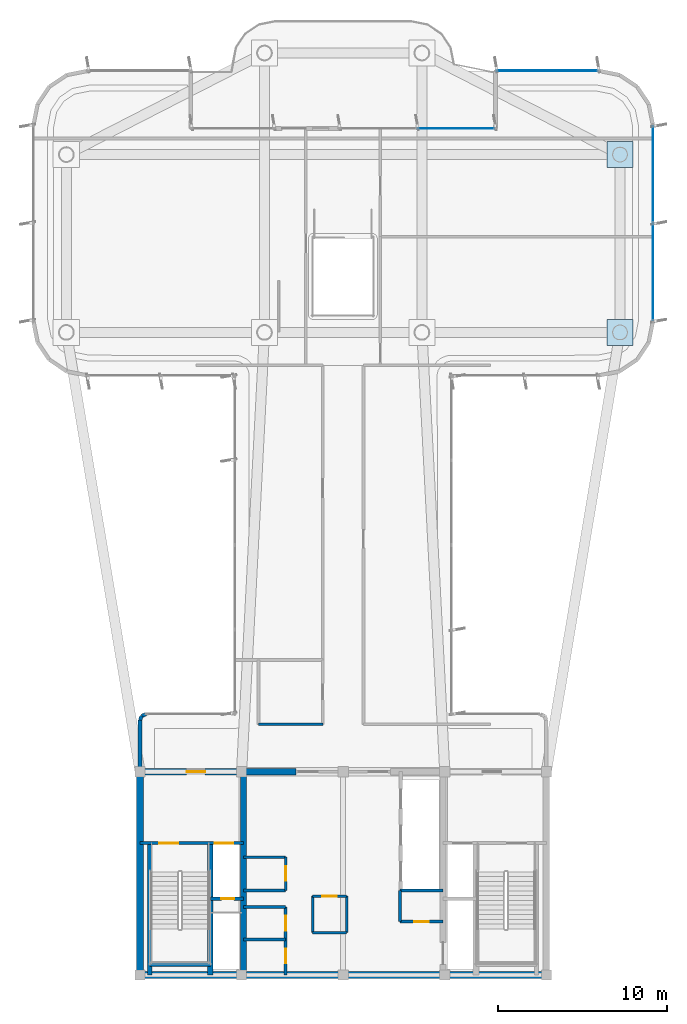
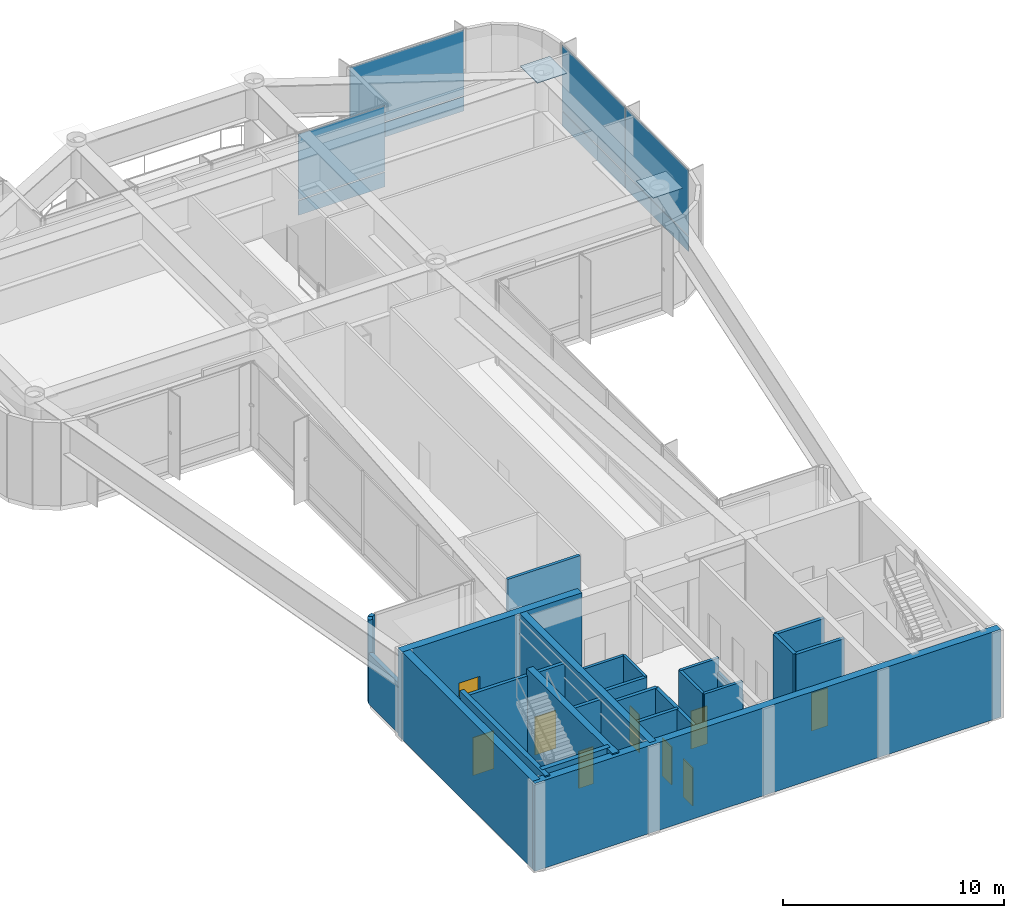
# One storey, part 9 of 13: 26 walls, 10 plates, 9 doors, 9 openings, 3 elements without a shape of their own.
"""IFC4 building model written with IfcOpenShell, lengths in metres."""

from ifc_helpers import new_model, si_unit, direction, frame, frame_2d, origin, origin_2d, place, context, subcontext, project, spatial, rectangle, extrude, source, transform, mapped, material, layer, layer_set, type_object, element, fill, aggregate, save


model = new_model("IFC4")

# Units and contexts
model_context = context("Model", 3, precision=1e-05, world=origin(), true_north=direction((0.0, 1.0)))
body_context = subcontext(model_context, "Body", "Model", "MODEL_VIEW")
ifc_project = project(units=[si_unit("LENGTHUNIT", "METRE"), si_unit("AREAUNIT", "SQUARE_METRE"), si_unit("VOLUMEUNIT", "CUBIC_METRE"), si_unit("PLANEANGLEUNIT", "RADIAN"), si_unit("MASSUNIT", "GRAM", prefix="KILO")], contexts=[model_context])

# Site, building, storey
site_placement = place(None, origin())
site = spatial("IfcSite", under=ifc_project, at=site_placement, CompositionType="ELEMENT")
building_placement = place(site_placement, origin())
building = spatial("IfcBuilding", under=site, at=building_placement, Name="Brelvock Crest Care Tower", CompositionType="ELEMENT")
storey_placement = place(building_placement, frame((0.0, 0.0, 291.06005859375)))
storey = spatial("IfcBuildingStorey", under=building, at=storey_placement, Name="L74", CompositionType="ELEMENT", Elevation=291.06005859375)

# Plates
ifc_material_1 = material(Name="Steel Grade 350", Category="steel")
plate_type_1 = type_object("IfcPlateType", Name="PLT-EC1", PredefinedType="USERDEFINED", material=ifc_material_1)
shared_shape_1 = source(origin(), body_context, "Body", "SweptSolid", [
    extrude(rectangle(XDim=1.550048828125, YDim=1.550048828125, at=origin_2d()), origin(), (0.0, 0.0, 1.0), 0.031982421875),
])
for number, where, z_axis, x_axis, name in (
    (1, (52.35009765625, 43.949951171875, 4.85205078125), (0.0, 0.0, 1.0), (1.0, 0.0, 0.0), "PLT-CAP-L74-03"),
    (2, (52.35009765625, 54.449951171875, 4.85205078125), (0.0, 0.0, 1.0), (1.0, 0.0, 0.0), "PLT-CAP-L74-04"),
):
    element("IfcPlate", number, at=place(storey_placement, frame(where, z_axis=z_axis, x_axis=x_axis)), inside=storey, type_object=plate_type_1, Name=name, ObjectType="FLANGE_PLATE", PredefinedType="USERDEFINED", context=body_context, shape_type="MappedRepresentation", body=[
        mapped(shared_shape_1, transform((0.0, 0.0, 0.0), x_axis=(1.0, 0.0, 0.0), y_axis=(0.0, 1.0, 0.0), z_axis=(0.0, 0.0, 1.0), scale=1.0)),
    ])

# Curtain wall, plates
ifc_material_2 = material(Name="Dark Glass Double Glazed Low-E", Category="glass")
ifc_layer_1 = layer(ifc_material_2, 0.2548828125, Name="CWS-6")
ifc_layer_set_1 = layer_set([ifc_layer_1], Name="Dark Glass Double Glazed Low-E")
curtain_wall_type = type_object("IfcCurtainWallType", Name="CWS-6", PredefinedType="NOTDEFINED", material=ifc_layer_set_1)
curtain_wall_1_placement = place(storey_placement, origin())
curtain_wall_1 = element("IfcCurtainWall", 3, at=curtain_wall_1_placement, inside=storey, type_object=curtain_wall_type, Name="L74 Curtain Wall E04", PredefinedType="NOTDEFINED")
ifc_material_3 = material(Name="Dark Glass Shadow-Box Spandrel", Category="glass")
ifc_layer_2 = layer(ifc_material_3, 0.048095703125, Name="CWP-SP1")
ifc_layer_set_2 = layer_set([ifc_layer_2], Name="Dark Glass Shadow-Box Spandrel")
plate_type_2 = type_object("IfcPlateType", Name="CWP-SP1", PredefinedType="SHEET", material=ifc_layer_set_2)
shared_shape_2 = source(origin(), body_context, "Body", "SweptSolid", [
    extrude(rectangle(XDim=5.702392578125, YDim=0.035888671875, at=origin_2d()), origin(), (0.0, 0.0, 1.0), 0.802490234375),
])
plate_1_placement = place(storey_placement, frame((54.300048828125, 53.28369140625, 0.06494140625), z_axis=(0.0, 0.0, 1.0), x_axis=(0.0, -1.0, 0.0)))
plate_1 = element("IfcPlate", 4, at=plate_1_placement, type_object=plate_type_2, Name="CW-6 panel 1.1", PredefinedType="SHEET", context=body_context, shape_type="MappedRepresentation", body=[
    mapped(shared_shape_2, transform((0.0, 0.0, 0.0), x_axis=(1.0, 0.0, 0.0), y_axis=(0.0, 1.0, 0.0), z_axis=(0.0, 0.0, 1.0), scale=1.0)),
])
plate_2_placement = place(storey_placement, frame((54.300048828125, 47.516357421875, 0.06494140625), z_axis=(0.0, 0.0, 1.0), x_axis=(0.0, -1.0, 0.0)))
plate_2 = element("IfcPlate", 5, at=plate_2_placement, type_object=plate_type_2, Name="CW-6 panel 2.1", PredefinedType="SHEET", context=body_context, shape_type="MappedRepresentation", body=[
    mapped(shared_shape_2, transform((0.0, 0.0, 0.0), x_axis=(1.0, 0.0, 0.0), y_axis=(0.0, 1.0, 0.0), z_axis=(0.0, 0.0, 1.0), scale=1.0)),
])
ifc_layer_3 = layer(ifc_material_2, 0.0380859375, Name="CWP-V2")
ifc_layer_set_3 = layer_set([ifc_layer_3], Name="Dark Glass Double Glazed Low-E")
plate_type_3 = type_object("IfcPlateType", Name="CWP-V2", PredefinedType="CURTAIN_PANEL", material=ifc_layer_set_3)
shared_shape_3 = source(origin(), body_context, "Body", "SweptSolid", [
    extrude(rectangle(XDim=5.702392578125, YDim=0.035888671875, at=origin_2d()), origin(), (0.0, 0.0, 1.0), 3.612548828125),
])
plate_3_placement = place(storey_placement, frame((54.300048828125, 53.28369140625, 0.9326171875), z_axis=(0.0, 0.0, 1.0), x_axis=(0.0, -1.0, 0.0)))
plate_3 = element("IfcPlate", 6, at=plate_3_placement, type_object=plate_type_3, Name="CW-6 panel 1.2", PredefinedType="CURTAIN_PANEL", context=body_context, shape_type="MappedRepresentation", body=[
    mapped(shared_shape_3, transform((0.0, 0.0, 0.0), x_axis=(1.0, 0.0, 0.0), y_axis=(0.0, 1.0, 0.0), z_axis=(0.0, 0.0, 1.0), scale=1.0)),
])
plate_4_placement = place(storey_placement, frame((54.300048828125, 47.516357421875, 0.9326171875), z_axis=(0.0, 0.0, 1.0), x_axis=(0.0, -1.0, 0.0)))
plate_4 = element("IfcPlate", 7, at=plate_4_placement, type_object=plate_type_3, Name="CW-6 panel 2.2", PredefinedType="CURTAIN_PANEL", context=body_context, shape_type="MappedRepresentation", body=[
    mapped(shared_shape_3, transform((0.0, 0.0, 0.0), x_axis=(1.0, 0.0, 0.0), y_axis=(0.0, 1.0, 0.0), z_axis=(0.0, 0.0, 1.0), scale=1.0)),
])
aggregate(curtain_wall_1, [plate_1, plate_3, plate_2, plate_4])

curtain_wall_2_placement = place(storey_placement, origin())
curtain_wall_2 = element("IfcCurtainWall", 8, at=curtain_wall_2_placement, inside=storey, type_object=curtain_wall_type, Name="L74 Curtain Wall E39", PredefinedType="NOTDEFINED")
shared_shape_4 = source(origin(), body_context, "Body", "SweptSolid", [
    extrude(rectangle(XDim=5.969970703125, YDim=0.035888671875, at=origin_2d()), origin(), (0.0, 0.0, 1.0), 0.802490234375),
])
plate_5_placement = place(storey_placement, frame((48.050048828125, 59.39990234375, 0.06494140625), z_axis=(0.0, 0.0, 1.0), x_axis=(1.0, 0.0, 0.0)))
plate_5 = element("IfcPlate", 9, at=plate_5_placement, type_object=plate_type_2, Name="CW-6 panel 1.1", PredefinedType="SHEET", context=body_context, shape_type="MappedRepresentation", body=[
    mapped(shared_shape_4, transform((0.0, 0.0, 0.0), x_axis=(1.0, 0.0, 0.0), y_axis=(0.0, 1.0, 0.0), z_axis=(0.0, 0.0, 1.0), scale=1.0)),
])
shared_shape_5 = source(origin(), body_context, "Body", "SweptSolid", [
    extrude(rectangle(XDim=5.969970703125, YDim=0.035888671875, at=origin_2d()), origin(), (0.0, 0.0, 1.0), 3.612548828125),
])
plate_6_placement = place(storey_placement, frame((48.050048828125, 59.39990234375, 0.9326171875), z_axis=(0.0, 0.0, 1.0), x_axis=(1.0, 0.0, 0.0)))
plate_6 = element("IfcPlate", 10, at=plate_6_placement, type_object=plate_type_3, Name="CW-6 panel 1.2", PredefinedType="CURTAIN_PANEL", context=body_context, shape_type="MappedRepresentation", body=[
    mapped(shared_shape_5, transform((0.0, 0.0, 0.0), x_axis=(1.0, 0.0, 0.0), y_axis=(0.0, 1.0, 0.0), z_axis=(0.0, 0.0, 1.0), scale=1.0)),
])
aggregate(curtain_wall_2, [plate_5, plate_6])

curtain_wall_3_placement = place(storey_placement, origin())
curtain_wall_3 = element("IfcCurtainWall", 11, at=curtain_wall_3_placement, inside=storey, type_object=curtain_wall_type, Name="L74 Curtain Wall E37B", PredefinedType="NOTDEFINED")
shared_shape_6 = source(origin(), body_context, "Body", "SweptSolid", [
    extrude(rectangle(XDim=4.532470703125, YDim=0.035888671875, at=origin_2d()), origin(), (0.0, 0.0, 1.0), 0.802490234375),
])
plate_7_placement = place(storey_placement, frame((42.668701171875, 56.0, 0.06494140625), z_axis=(0.0, 0.0, 1.0), x_axis=(1.0, 0.0, 0.0)))
plate_7 = element("IfcPlate", 12, at=plate_7_placement, type_object=plate_type_2, Name="CW-6 panel 2.1", PredefinedType="SHEET", context=body_context, shape_type="MappedRepresentation", body=[
    mapped(shared_shape_6, transform((0.0, 0.0, 0.0), x_axis=(1.0, 0.0, 0.0), y_axis=(0.0, 1.0, 0.0), z_axis=(0.0, 0.0, 1.0), scale=1.0)),
])
shared_shape_7 = source(origin(), body_context, "Body", "SweptSolid", [
    extrude(rectangle(XDim=4.532470703125, YDim=0.035888671875, at=origin_2d()), origin(), (0.0, 0.0, 1.0), 3.612548828125),
])
plate_8_placement = place(storey_placement, frame((42.668701171875, 56.0, 0.9326171875), z_axis=(0.0, 0.0, 1.0), x_axis=(1.0, 0.0, 0.0)))
plate_8 = element("IfcPlate", 13, at=plate_8_placement, type_object=plate_type_3, Name="CW-6 panel 2.2", PredefinedType="CURTAIN_PANEL", context=body_context, shape_type="MappedRepresentation", body=[
    mapped(shared_shape_7, transform((0.0, 0.0, 0.0), x_axis=(1.0, 0.0, 0.0), y_axis=(0.0, 1.0, 0.0), z_axis=(0.0, 0.0, 1.0), scale=1.0)),
])
aggregate(curtain_wall_3, [plate_7, plate_8])

# Walls
ifc_material_4 = material(Name="Concrete S65 (65 MPa)", Category="concrete")
ifc_layer_4 = layer(ifc_material_4, 0.39990234375, Name="WL-CS4")
ifc_layer_set_4 = layer_set([ifc_layer_4], Name="Concrete S65 (65 MPa)")
wall_type_1 = type_object("IfcWallType", Name="WL-CS4", PredefinedType="SHEAR", material=ifc_layer_set_4)
wall_1_placement = place(storey_placement, frame((48.199951171875, 6.0, 0.0), z_axis=(0.0, 0.0, 1.0), x_axis=(-1.0, 0.0, 0.0)))
element("IfcWall", 14, at=wall_1_placement, inside=storey, type_object=wall_type_1, Name="L74 Core South Shear Wall", PredefinedType="SHEAR", context=body_context, shape_type="SweptSolid", body=[
    extrude(rectangle(XDim=24.39990234375, YDim=0.39990234375, at=frame_2d((12.199951171875, 0.0))), origin(), (0.0, 0.0, 1.0), 4.85986328125),
])
wall_2_placement = place(storey_placement, frame((24.0, 6.0, 0.0), z_axis=(0.0, 0.0, 1.0), x_axis=(0.0, 1.0, 0.0)))
element("IfcWall", 15, at=wall_2_placement, inside=storey, type_object=wall_type_1, Name="L74 Core West Shear Wall", PredefinedType="SHEAR", context=body_context, shape_type="SweptSolid", body=[
    extrude(rectangle(XDim=12.0, YDim=0.39990234375, at=frame_2d((6.0, 0.0))), origin(), (0.0, 0.0, 1.0), 4.85986328125),
])

# Wall, opening, door
wall_3_placement = place(storey_placement, frame((23.800048828125, 18.0, 0.0), z_axis=(0.0, 0.0, 1.0), x_axis=(1.0, 0.0, 0.0)))
wall_3 = element("IfcWall", 16, at=wall_3_placement, inside=storey, type_object=wall_type_1, Name="L74 Core North-West Shear Wall", PredefinedType="SHEAR", context=body_context, shape_type="SweptSolid", body=[
    extrude(rectangle(XDim=9.39990234375, YDim=0.39990234375, at=frame_2d((4.699951171875, 0.0))), origin(), (0.0, 0.0, 1.0), 4.85986328125),
])
opening_1_placement = place(wall_3_placement, frame((2.949951171875, 0.0, 0.0)))
opening_1 = element("IfcOpeningElement", 17, at=opening_1_placement, cuts=wall_3, Name="Opening FD-1", PredefinedType="OPENING", context=body_context, shape_type="SweptSolid", body=[
    extrude(rectangle(XDim=1.10009765625, YDim=2.10009765625, at=origin_2d()), frame((0.550048828125, 0.2099609375, 1.050048828125), z_axis=(0.0, -1.0, 0.0), x_axis=(1.0, 0.0, 0.0)), (0.0, 0.0, 1.0), 0.419921875),
])
door_type_1 = type_object("IfcDoorType", Name="DR-FFL1", OperationType="NOTDEFINED", PredefinedType="DOOR", material=ifc_material_1)
shared_shape_8 = source(origin(), body_context, "Body", "SweptSolid", [
    extrude(rectangle(XDim=1.10009765625, YDim=2.10009765625, at=origin_2d()), frame((0.550048828125, 0.02490234375, 1.050048828125), z_axis=(0.0, -1.0, 0.0), x_axis=(1.0, 0.0, 0.0)), (0.0, 0.0, 1.0), 0.050048828125),
])
door_1_placement = place(opening_1_placement, origin())
door_1 = element("IfcDoor", 18, at=door_1_placement, inside=storey, type_object=door_type_1, Name="L74 Firefighting Lobby FFL-1 Exit Door", OperationType="SINGLE_SWING_LEFT", OverallHeight=2.10009765625, OverallWidth=1.10009765625, PredefinedType="DOOR", context=body_context, shape_type="MappedRepresentation", body=[
    mapped(shared_shape_8, transform((0.0, 0.0, 0.0), x_axis=(1.0, 0.0, 0.0), y_axis=(0.0, 1.0, 0.0), z_axis=(0.0, 0.0, 1.0), scale=1.0)),
])
fill(opening_1, door_1)

# Walls
ifc_material_5 = material(Name="Concrete S80 (80 MPa)", Category="concrete")
ifc_layer_5 = layer(ifc_material_5, 0.35009765625, Name="WL-CS5")
ifc_layer_set_5 = layer_set([ifc_layer_5], Name="Concrete S80 (80 MPa)")
wall_type_2 = type_object("IfcWallType", Name="WL-CS5", PredefinedType="SHEAR", material=ifc_layer_set_5)
wall_4_placement = place(storey_placement, frame((30.10009765625, 6.0, 0.0), z_axis=(0.0, 0.0, 1.0), x_axis=(0.0, 1.0, 0.0)))
element("IfcWall", 19, at=wall_4_placement, inside=storey, type_object=wall_type_2, Name="L74 Core Internal Web Wall West", PredefinedType="SHEAR", context=body_context, shape_type="SweptSolid", body=[
    extrude(rectangle(XDim=12.0, YDim=0.35009765625, at=frame_2d((6.0, 0.0))), origin(), (0.0, 0.0, 1.0), 4.85986328125),
])
wall_5_placement = place(storey_placement, frame((28.14990234375, 6.0, 0.0), z_axis=(0.0, 0.0, 1.0), x_axis=(0.0, 1.0, 0.0)))
element("IfcWall", 20, at=wall_5_placement, inside=storey, type_object=wall_type_2, Name="L74 Core Stair ST-1 East Shear Wall", PredefinedType="SHEAR", context=body_context, shape_type="SweptSolid", body=[
    extrude(rectangle(XDim=7.780029296875, YDim=0.35009765625, at=frame_2d((3.89013671875, 0.0))), origin(), (0.0, 0.0, 1.0), 4.929931640625),
])
ifc_layer_6 = layer(ifc_material_5, 0.25, Name="WL-CS6")
ifc_layer_set_6 = layer_set([ifc_layer_6], Name="Concrete S80 (80 MPa)")
wall_type_3 = type_object("IfcWallType", Name="WL-CS6", PredefinedType="SHEAR", material=ifc_layer_set_6)
wall_6_placement = place(storey_placement, frame((24.580078125, 6.0, 0.0), z_axis=(0.0, 0.0, 1.0), x_axis=(0.0, 1.0, 0.0)))
element("IfcWall", 21, at=wall_6_placement, inside=storey, type_object=wall_type_3, Name="L74 Core Stair ST-1 West Shear Wall", PredefinedType="SHEAR", context=body_context, shape_type="SweptSolid", body=[
    extrude(rectangle(XDim=7.780029296875, YDim=0.25, at=frame_2d((3.89013671875, 0.0))), origin(), (0.0, 0.0, 1.0), 4.929931640625),
])
wall_7_placement = place(storey_placement, frame((24.580078125, 6.6201171875, 0.0), z_axis=(0.0, 0.0, 1.0), x_axis=(1.0, 0.0, 0.0)))
element("IfcWall", 22, at=wall_7_placement, inside=storey, type_object=wall_type_3, Name="L74 Core Stair ST-1 South Shear Wall", PredefinedType="SHEAR", context=body_context, shape_type="SweptSolid", body=[
    extrude(rectangle(XDim=3.56982421875, YDim=0.25, at=frame_2d((1.784912109375, 0.0))), origin(), (0.0, 0.0, 1.0), 4.929931640625),
])
ifc_material_6 = material(Name="Precast concrete N40 (40 MPa)", Category="concrete")
ifc_layer_7 = layer(ifc_material_6, 0.215087890625, Name="WL-EX2")
ifc_layer_set_7 = layer_set([ifc_layer_7], Name="Precast concrete N40 (40 MPa)")
wall_type_4 = type_object("IfcWallType", Name="WL-EX2", PredefinedType="SOLIDWALL", material=ifc_layer_set_7)
wall_8_placement = place(storey_placement, frame((24.0, 18.280029296875, 0.0), z_axis=(0.0, 0.0, 1.0), x_axis=(0.0, 1.0, 0.0)))
element("IfcWall", 23, at=wall_8_placement, inside=storey, type_object=wall_type_4, Name="L74 Rounded Corner Wall 20", PredefinedType="SOLIDWALL", context=body_context, shape_type="SweptSolid", body=[
    extrude(rectangle(XDim=2.77001953125, YDim=0.215087890625, at=frame_2d((1.385009765625, 0.0))), origin(), (0.0, 0.0, 1.0), 2.7978515625),
])
wall_9_placement = place(storey_placement, frame((24.0, 21.050048828125, 0.0), z_axis=(0.0, 0.0, 1.0), x_axis=(0.382673670509, 0.923883575944, 0.0)))
element("IfcWall", 24, at=wall_9_placement, inside=storey, type_object=wall_type_4, Name="L74 Rounded Corner Wall 21", PredefinedType="SOLIDWALL", context=body_context, shape_type="SweptSolid", body=[
    extrude(rectangle(XDim=0.26806640625, YDim=0.215087890625, at=frame_2d((0.134033203125, 0.0))), origin(), (0.0, 0.0, 1.0), 4.60986328125),
])
wall_10_placement = place(storey_placement, frame((24.1025390625, 21.297607421875, 0.0), z_axis=(0.0, 0.0, 1.0), x_axis=(0.924205486139, 0.381895560841, 0.0)))
element("IfcWall", 25, at=wall_10_placement, inside=storey, type_object=wall_type_4, Name="L74 Rounded Corner Wall 22", PredefinedType="SOLIDWALL", context=body_context, shape_type="SweptSolid", body=[
    extrude(rectangle(XDim=0.267822265625, YDim=0.215087890625, at=frame_2d((0.1337890625, 0.0))), origin(), (0.0, 0.0, 1.0), 4.60986328125),
])
ifc_material_7 = material(Name="Masonry Blockwork Acoustic Partition", Category="masonry")
ifc_layer_8 = layer(ifc_material_7, 0.14990234375, Name="WL-INT1")
ifc_layer_set_8 = layer_set([ifc_layer_8], Name="Masonry Blockwork Acoustic Partition")
wall_type_5 = type_object("IfcWallType", Name="WL-INT1", PredefinedType="PARTITIONING", material=ifc_layer_set_8)
wall_11_placement = place(storey_placement, frame((30.10009765625, 12.949951171875, 0.0), z_axis=(0.0, 0.0, 1.0), x_axis=(1.0, 0.0, 0.0)))
element("IfcWall", 26, at=wall_11_placement, inside=storey, type_object=wall_type_5, Name="L74 Interior Wall WL-CRCL-N2-L74", PredefinedType="PARTITIONING", context=body_context, shape_type="SweptSolid", body=[
    extrude(rectangle(XDim=2.5, YDim=0.14990234375, at=frame_2d((1.25, 0.0))), origin(), (0.0, 0.0, 1.0), 4.579833984375),
])

# Wall, opening, door
wall_12_placement = place(storey_placement, frame((32.60009765625, 11.0, 0.0), z_axis=(0.0, 0.0, 1.0), x_axis=(0.0, 1.0, 0.0)))
wall_12 = element("IfcWall", 27, at=wall_12_placement, inside=storey, type_object=wall_type_5, Name="L74 Interior Wall WL-CRCL-E-L74", PredefinedType="PARTITIONING", context=body_context, shape_type="SweptSolid", body=[
    extrude(rectangle(XDim=1.949951171875, YDim=0.14990234375, at=frame_2d((0.97509765625, 0.0))), origin(), (0.0, 0.0, 1.0), 4.579833984375),
])
opening_2_placement = place(wall_12_placement, frame((0.550048828125, 0.0, 0.0)))
opening_2 = element("IfcOpeningElement", 28, at=opening_2_placement, cuts=wall_12, Name="Opening ID-1", PredefinedType="OPENING", context=body_context, shape_type="SweptSolid", body=[
    extrude(rectangle(XDim=0.860107421875, YDim=2.10009765625, at=origin_2d()), frame((0.43017578125, 0.0849609375, 1.050048828125), z_axis=(0.0, -1.0, 0.0), x_axis=(1.0, 0.0, 0.0)), (0.0, 0.0, 1.0), 0.169921875),
])
ifc_material_8 = material(Name="Engineered Hardwood Timber", Category="wood")
door_type_2 = type_object("IfcDoorType", Name="DR-INT1", OperationType="NOTDEFINED", PredefinedType="DOOR", material=ifc_material_8)
shared_shape_9 = source(origin(), body_context, "Body", "SweptSolid", [
    extrude(rectangle(XDim=0.860107421875, YDim=2.10009765625, at=origin_2d()), frame((0.43017578125, 0.02490234375, 1.050048828125), z_axis=(0.0, -1.0, 0.0), x_axis=(1.0, 0.0, 0.0)), (0.0, 0.0, 1.0), 0.050048828125),
])
door_2_placement = place(opening_2_placement, origin())
door_2 = element("IfcDoor", 29, at=door_2_placement, inside=storey, type_object=door_type_2, Name="DR-CRCL1-L74", OperationType="SINGLE_SWING_LEFT", OverallHeight=2.10009765625, OverallWidth=0.860107421875, PredefinedType="DOOR", context=body_context, shape_type="MappedRepresentation", body=[
    mapped(shared_shape_9, transform((0.0, 0.0, 0.0), x_axis=(1.0, 0.0, 0.0), y_axis=(0.0, 1.0, 0.0), z_axis=(0.0, 0.0, 1.0), scale=1.0)),
])
fill(opening_2, door_2)

# Walls
wall_13_placement = place(storey_placement, frame((34.199951171875, 8.5, 0.0), z_axis=(0.0, 0.0, 1.0), x_axis=(1.0, 0.0, 0.0)))
element("IfcWall", 30, at=wall_13_placement, inside=storey, type_object=wall_type_5, Name="L74 Interior Wall WL-CRCM-S-L74", PredefinedType="PARTITIONING", context=body_context, shape_type="SweptSolid", body=[
    extrude(rectangle(XDim=2.0, YDim=0.14990234375, at=frame_2d((1.0, 0.0))), origin(), (0.0, 0.0, 1.0), 4.579833984375),
])
wall_14_placement = place(storey_placement, frame((34.199951171875, 8.5, 0.0), z_axis=(0.0, 0.0, 1.0), x_axis=(0.0, 1.0, 0.0)))
element("IfcWall", 31, at=wall_14_placement, inside=storey, type_object=wall_type_5, Name="L74 Interior Wall WL-CRCM-W-L74", PredefinedType="PARTITIONING", context=body_context, shape_type="SweptSolid", body=[
    extrude(rectangle(XDim=2.14990234375, YDim=0.14990234375, at=frame_2d((1.074951171875, 0.0))), origin(), (0.0, 0.0, 1.0), 4.579833984375),
])
wall_15_placement = place(storey_placement, frame((36.199951171875, 8.5, 0.0), z_axis=(0.0, 0.0, 1.0), x_axis=(0.0, 1.0, 0.0)))
element("IfcWall", 32, at=wall_15_placement, inside=storey, type_object=wall_type_5, Name="L74 Interior Wall WL-CRCM-E-L74", PredefinedType="PARTITIONING", context=body_context, shape_type="SweptSolid", body=[
    extrude(rectangle(XDim=2.14990234375, YDim=0.14990234375, at=frame_2d((1.074951171875, 0.0))), origin(), (0.0, 0.0, 1.0), 3.794921875),
])

# Wall, opening, door
wall_16_placement = place(storey_placement, frame((34.199951171875, 10.64990234375, 0.0), z_axis=(0.0, 0.0, 1.0), x_axis=(1.0, 0.0, 0.0)))
wall_16 = element("IfcWall", 33, at=wall_16_placement, inside=storey, type_object=wall_type_5, Name="L74 Interior Wall WL-CRCM-N-L74", PredefinedType="PARTITIONING", context=body_context, shape_type="SweptSolid", body=[
    extrude(rectangle(XDim=2.0, YDim=0.14990234375, at=frame_2d((1.0, 0.0))), origin(), (0.0, 0.0, 1.0), 4.579833984375),
])
opening_3_placement = place(wall_16_placement, frame((0.550048828125, 0.0, 0.0)))
opening_3 = element("IfcOpeningElement", 34, at=opening_3_placement, cuts=wall_16, Name="Opening ID-1", PredefinedType="OPENING", context=body_context, shape_type="SweptSolid", body=[
    extrude(rectangle(XDim=0.860107421875, YDim=2.10009765625, at=origin_2d()), frame((0.43017578125, 0.0849609375, 1.050048828125), z_axis=(0.0, -1.0, 0.0), x_axis=(1.0, 0.0, 0.0)), (0.0, 0.0, 1.0), 0.169921875),
])
door_3_placement = place(opening_3_placement, origin())
door_3 = element("IfcDoor", 35, at=door_3_placement, inside=storey, type_object=door_type_2, Name="DR-CRCM1-L74", OperationType="SINGLE_SWING_LEFT", OverallHeight=2.10009765625, OverallWidth=0.860107421875, PredefinedType="DOOR", context=body_context, shape_type="MappedRepresentation", body=[
    mapped(shared_shape_9, transform((0.0, 0.0, 0.0), x_axis=(1.0, 0.0, 0.0), y_axis=(0.0, 1.0, 0.0), z_axis=(0.0, 0.0, 1.0), scale=1.0)),
])
fill(opening_3, door_3)

# Walls
ifc_material_9 = material(Name="Gypsum Plasterboard Partition", Category="gypsum")
ifc_layer_9 = layer(ifc_material_9, 0.159912109375, Name="WL-PLM1")
ifc_layer_set_9 = layer_set([ifc_layer_9], Name="Gypsum Plasterboard Partition")
wall_type_6 = type_object("IfcWallType", Name="WL-PLM1", PredefinedType="PLUMBINGWALL", material=ifc_layer_set_9)
wall_17_placement = place(storey_placement, frame((31.0, 20.800048828125, 0.0), z_axis=(0.0, 0.0, 1.0), x_axis=(1.0, 0.0, 0.0)))
element("IfcWall", 36, at=wall_17_placement, inside=storey, type_object=wall_type_6, Name="L74 Interior Wall WL-BX-L74-AWC-S", PredefinedType="PLUMBINGWALL", context=body_context, shape_type="SweptSolid", body=[
    extrude(rectangle(XDim=3.800048828125, YDim=0.159912109375, at=frame_2d((1.89990234375, 0.0))), origin(), (0.0, 0.0, 1.0), 4.579833984375),
])
ifc_layer_10 = layer(ifc_material_7, 0.179931640625, Name="WL-SHF1")
ifc_layer_set_10 = layer_set([ifc_layer_10], Name="Masonry Blockwork Acoustic Partition")
wall_type_7 = type_object("IfcWallType", Name="WL-SHF1", PredefinedType="PARTITIONING", material=ifc_layer_set_10)
wall_18_placement = place(storey_placement, frame((30.10009765625, 10.97998046875, 0.0), z_axis=(0.0, 0.0, 1.0), x_axis=(1.0, 0.0, 0.0)))
element("IfcWall", 37, at=wall_18_placement, inside=storey, type_object=wall_type_7, Name="L74 Interior Wall WL-CSBW-N-L74", PredefinedType="PARTITIONING", context=body_context, shape_type="SweptSolid", body=[
    extrude(rectangle(XDim=2.5, YDim=0.179931640625, at=frame_2d((1.25, 0.0))), origin(), (0.0, 0.0, 1.0), 4.579833984375),
])
wall_19_placement = place(storey_placement, frame((39.35009765625, 10.97998046875, 0.0), z_axis=(0.0, 0.0, 1.0), x_axis=(1.0, 0.0, 0.0)))
element("IfcWall", 38, at=wall_19_placement, inside=storey, type_object=wall_type_7, Name="L74 Interior Wall WL-CSBE-N-L74", PredefinedType="PARTITIONING", context=body_context, shape_type="SweptSolid", body=[
    extrude(rectangle(XDim=2.5498046875, YDim=0.179931640625, at=frame_2d((1.27490234375, 0.0))), origin(), (0.0, 0.0, 1.0), 4.579833984375),
])
for number, where, z_axis, x_axis, name in (
    (39, (30.10009765625, 8.10009765625, 0.0), (0.0, 0.0, 1.0), (1.0, 0.0, 0.0), "L74 Interior Wall WL-CSBW-SP-L74"),
    (40, (30.10009765625, 10.02001953125, 0.0), (0.0, 0.0, 1.0), (1.0, 0.0, 0.0), "L74 Interior Wall WL-CSBW-N2-L74"),
):
    element("IfcWall", number, at=place(storey_placement, frame(where, z_axis=z_axis, x_axis=x_axis)), inside=storey, type_object=wall_type_7, Name=name, PredefinedType="PARTITIONING", context=body_context, shape_type="SweptSolid", body=[
        extrude(rectangle(XDim=2.5, YDim=0.179931640625, at=frame_2d((1.25, 0.0))), origin(), (0.0, 0.0, 1.0), 4.579833984375),
    ])

# Wall, openings, doors
wall_20_placement = place(storey_placement, frame((32.60009765625, 6.0, 0.0), z_axis=(0.0, 0.0, 1.0), x_axis=(0.0, 1.0, 0.0)))
wall_20 = element("IfcWall", 41, at=wall_20_placement, inside=storey, type_object=wall_type_7, Name="L74 Interior Wall WL-CSBW-E-L74", PredefinedType="PARTITIONING", context=body_context, shape_type="SweptSolid", body=[
    extrude(rectangle(XDim=4.02001953125, YDim=0.179931640625, at=frame_2d((2.010009765625, 0.0))), origin(), (0.0, 0.0, 1.0), 4.579833984375),
])
opening_4_placement = place(wall_20_placement, frame((0.699951171875, 0.0, 0.0)))
opening_4 = element("IfcOpeningElement", 42, at=opening_4_placement, cuts=wall_20, Name="Opening ID-1", PredefinedType="OPENING", context=body_context, shape_type="SweptSolid", body=[
    extrude(rectangle(XDim=0.860107421875, YDim=2.10009765625, at=origin_2d()), frame((0.43017578125, 0.10009765625, 1.050048828125), z_axis=(0.0, -1.0, 0.0), x_axis=(1.0, 0.0, 0.0)), (0.0, 0.0, 1.0), 0.199951171875),
])
opening_5_placement = place(wall_20_placement, frame((2.6201171875, 0.0, 0.0)))
opening_5 = element("IfcOpeningElement", 43, at=opening_5_placement, cuts=wall_20, Name="Opening ID-1", PredefinedType="OPENING", context=body_context, shape_type="SweptSolid", body=[
    extrude(rectangle(XDim=0.860107421875, YDim=2.10009765625, at=origin_2d()), frame((0.43017578125, 0.10009765625, 1.050048828125), z_axis=(0.0, -1.0, 0.0), x_axis=(1.0, 0.0, 0.0)), (0.0, 0.0, 1.0), 0.199951171875),
])
door_4_placement = place(opening_4_placement, origin())
door_4 = element("IfcDoor", 44, at=door_4_placement, inside=storey, type_object=door_type_2, Name="DR-CSBW1-L74", OperationType="SINGLE_SWING_LEFT", OverallHeight=2.10009765625, OverallWidth=0.860107421875, PredefinedType="DOOR", context=body_context, shape_type="MappedRepresentation", body=[
    mapped(shared_shape_9, transform((0.0, 0.0, 0.0), x_axis=(1.0, 0.0, 0.0), y_axis=(0.0, 1.0, 0.0), z_axis=(0.0, 0.0, 1.0), scale=1.0)),
])
fill(opening_4, door_4)
door_5_placement = place(opening_5_placement, origin())
door_5 = element("IfcDoor", 45, at=door_5_placement, inside=storey, type_object=door_type_2, Name="DR-CSBW2-L74", OperationType="SINGLE_SWING_RIGHT", OverallHeight=2.10009765625, OverallWidth=0.860107421875, PredefinedType="DOOR", context=body_context, shape_type="MappedRepresentation", body=[
    mapped(shared_shape_9, transform((0.0, 0.0, 0.0), x_axis=(1.0, 0.0, 0.0), y_axis=(0.0, 1.0, 0.0), z_axis=(0.0, 0.0, 1.0), scale=1.0)),
])
fill(opening_5, door_5)

# Wall
wall_21_placement = place(storey_placement, frame((39.35009765625, 9.14990234375, 0.0), z_axis=(0.0, 0.0, 1.0), x_axis=(0.0, 1.0, 0.0)))
element("IfcWall", 46, at=wall_21_placement, inside=storey, type_object=wall_type_7, Name="L74 Interior Wall WL-CSBE-W-L74", PredefinedType="PARTITIONING", context=body_context, shape_type="SweptSolid", body=[
    extrude(rectangle(XDim=1.830078125, YDim=0.179931640625, at=frame_2d((0.9150390625, 0.0))), origin(), (0.0, 0.0, 1.0), 4.579833984375),
])

# Wall, opening, door
wall_22_placement = place(storey_placement, frame((39.35009765625, 9.14990234375, 0.0), z_axis=(0.0, 0.0, 1.0), x_axis=(1.0, 0.0, 0.0)))
wall_22 = element("IfcWall", 47, at=wall_22_placement, inside=storey, type_object=wall_type_7, Name="L74 Interior Wall WL-CSBE-S-L74", PredefinedType="PARTITIONING", context=body_context, shape_type="SweptSolid", body=[
    extrude(rectangle(XDim=2.5498046875, YDim=0.179931640625, at=frame_2d((1.27490234375, 0.0))), origin(), (0.0, 0.0, 1.0), 4.579833984375),
])
opening_6_placement = place(wall_22_placement, frame((0.85009765625, 0.0, 0.0)))
opening_6 = element("IfcOpeningElement", 48, at=opening_6_placement, cuts=wall_22, Name="Opening ID-1", PredefinedType="OPENING", context=body_context, shape_type="SweptSolid", body=[
    extrude(rectangle(XDim=0.860107421875, YDim=2.10009765625, at=origin_2d()), frame((0.43017578125, 0.10009765625, 1.050048828125), z_axis=(0.0, -1.0, 0.0), x_axis=(1.0, 0.0, 0.0)), (0.0, 0.0, 1.0), 0.199951171875),
])
door_6_placement = place(opening_6_placement, origin())
door_6 = element("IfcDoor", 49, at=door_6_placement, inside=storey, type_object=door_type_2, Name="DR-CSBE-L74", OperationType="SINGLE_SWING_LEFT", OverallHeight=2.10009765625, OverallWidth=0.860107421875, PredefinedType="DOOR", context=body_context, shape_type="MappedRepresentation", body=[
    mapped(shared_shape_9, transform((0.0, 0.0, 0.0), x_axis=(1.0, 0.0, 0.0), y_axis=(0.0, 1.0, 0.0), z_axis=(0.0, 0.0, 1.0), scale=1.0)),
])
fill(opening_6, door_6)

# Wall, openings, doors
wall_23_placement = place(storey_placement, frame((24.0, 13.780029296875, 0.0), z_axis=(0.0, 0.0, 1.0), x_axis=(1.0, 0.0, 0.0)))
wall_23 = element("IfcWall", 50, at=wall_23_placement, inside=storey, type_object=wall_type_7, Name="L74 Interior Wall WL-ST1-N-L74", PredefinedType="PARTITIONING", context=body_context, shape_type="SweptSolid", body=[
    extrude(rectangle(XDim=6.10009765625, YDim=0.179931640625, at=frame_2d((3.050048828125, 0.0))), origin(), (0.0, 0.0, 1.0), 4.579833984375),
])
opening_7_placement = place(wall_23_placement, frame((1.14990234375, 0.0, 0.0)))
opening_7 = element("IfcOpeningElement", 51, at=opening_7_placement, cuts=wall_23, Name="Opening SD-1", PredefinedType="OPENING", context=body_context, shape_type="SweptSolid", body=[
    extrude(rectangle(XDim=1.10009765625, YDim=2.10009765625, at=origin_2d()), frame((0.550048828125, 0.10009765625, 1.050048828125), z_axis=(0.0, -1.0, 0.0), x_axis=(1.0, 0.0, 0.0)), (0.0, 0.0, 1.0), 0.199951171875),
])
opening_8_placement = place(wall_23_placement, frame((4.39990234375, 0.0, 0.0)))
opening_8 = element("IfcOpeningElement", 52, at=opening_8_placement, cuts=wall_23, Name="Opening LD", PredefinedType="OPENING", context=body_context, shape_type="SweptSolid", body=[
    extrude(rectangle(XDim=1.10009765625, YDim=2.10009765625, at=origin_2d()), frame((0.550048828125, 0.10009765625, 1.050048828125), z_axis=(0.0, -1.0, 0.0), x_axis=(1.0, 0.0, 0.0)), (0.0, 0.0, 1.0), 0.199951171875),
])
door_type_3 = type_object("IfcDoorType", Name="DR-ST1", OperationType="NOTDEFINED", PredefinedType="DOOR", material=ifc_material_1)
shared_shape_10 = source(origin(), body_context, "Body", "SweptSolid", [
    extrude(rectangle(XDim=1.10009765625, YDim=2.10009765625, at=origin_2d()), frame((0.550048828125, 0.02490234375, 1.050048828125), z_axis=(0.0, -1.0, 0.0), x_axis=(1.0, 0.0, 0.0)), (0.0, 0.0, 1.0), 0.050048828125),
])
door_7_placement = place(opening_7_placement, origin())
door_7 = element("IfcDoor", 53, at=door_7_placement, inside=storey, type_object=door_type_3, Name="L74 Fire Stair ST-1 Door", OperationType="SINGLE_SWING_LEFT", OverallHeight=2.10009765625, OverallWidth=1.10009765625, PredefinedType="DOOR", context=body_context, shape_type="MappedRepresentation", body=[
    mapped(shared_shape_10, transform((0.0, 0.0, 0.0), x_axis=(1.0, 0.0, 0.0), y_axis=(0.0, 1.0, 0.0), z_axis=(0.0, 0.0, 1.0), scale=1.0)),
])
fill(opening_7, door_7)
door_type_4 = type_object("IfcDoorType", Name="DR-LD1", OperationType="NOTDEFINED", PredefinedType="DOOR", material=ifc_material_1)
shared_shape_11 = source(origin(), body_context, "Body", "SweptSolid", [
    extrude(rectangle(XDim=1.10009765625, YDim=2.10009765625, at=origin_2d()), frame((0.550048828125, 0.02490234375, 1.050048828125), z_axis=(0.0, -1.0, 0.0), x_axis=(1.0, 0.0, 0.0)), (0.0, 0.0, 1.0), 0.050048828125),
])
door_8_placement = place(opening_8_placement, origin())
door_8 = element("IfcDoor", 54, at=door_8_placement, inside=storey, type_object=door_type_4, Name="L74 Firefighting Lift FFL-1 Landing Door", OperationType="SLIDING_TO_LEFT", OverallHeight=2.10009765625, OverallWidth=1.10009765625, PredefinedType="DOOR", context=body_context, shape_type="MappedRepresentation", body=[
    mapped(shared_shape_11, transform((0.0, 0.0, 0.0), x_axis=(1.0, 0.0, 0.0), y_axis=(0.0, 1.0, 0.0), z_axis=(0.0, 0.0, 1.0), scale=1.0)),
])
fill(opening_8, door_8)

# Wall, opening, door
wall_24_placement = place(storey_placement, frame((28.14990234375, 10.5, 0.0), z_axis=(0.0, 0.0, 1.0), x_axis=(1.0, 0.0, 0.0)))
wall_24 = element("IfcWall", 55, at=wall_24_placement, inside=storey, type_object=wall_type_7, Name="L74 Interior Wall WL-FFH1-S-L74", PredefinedType="PARTITIONING", context=body_context, shape_type="SweptSolid", body=[
    extrude(rectangle(XDim=1.9501953125, YDim=0.179931640625, at=frame_2d((0.97509765625, 0.0))), origin(), (0.0, 0.0, 1.0), 4.579833984375),
])
opening_9_placement = place(wall_24_placement, frame((0.64990234375, 0.0, 0.0)))
opening_9 = element("IfcOpeningElement", 56, at=opening_9_placement, cuts=wall_24, Name="Opening RD-1", PredefinedType="OPENING", context=body_context, shape_type="SweptSolid", body=[
    extrude(rectangle(XDim=0.760009765625, YDim=2.050048828125, at=origin_2d()), frame((0.3798828125, 0.10009765625, 1.02490234375), z_axis=(0.0, -1.0, 0.0), x_axis=(1.0, 0.0, 0.0)), (0.0, 0.0, 1.0), 0.199951171875),
])
door_type_5 = type_object("IfcDoorType", Name="DR-RIS1", OperationType="NOTDEFINED", PredefinedType="DOOR", material=ifc_material_1)
shared_shape_12 = source(origin(), body_context, "Body", "SweptSolid", [
    extrude(rectangle(XDim=0.760009765625, YDim=2.050048828125, at=origin_2d()), frame((0.3798828125, 0.02490234375, 1.02490234375), z_axis=(0.0, -1.0, 0.0), x_axis=(1.0, 0.0, 0.0)), (0.0, 0.0, 1.0), 0.050048828125),
])
door_9_placement = place(opening_9_placement, origin())
door_9 = element("IfcDoor", 57, at=door_9_placement, inside=storey, type_object=door_type_5, Name="L74 Wet Fire Riser Access Door", OperationType="SINGLE_SWING_LEFT", OverallHeight=2.050048828125, OverallWidth=0.760009765625, PredefinedType="DOOR", context=body_context, shape_type="MappedRepresentation", body=[
    mapped(shared_shape_12, transform((0.0, 0.0, 0.0), x_axis=(1.0, 0.0, 0.0), y_axis=(0.0, 1.0, 0.0), z_axis=(0.0, 0.0, 1.0), scale=1.0)),
])
fill(opening_9, door_9)

save(model, "model.ifc")
